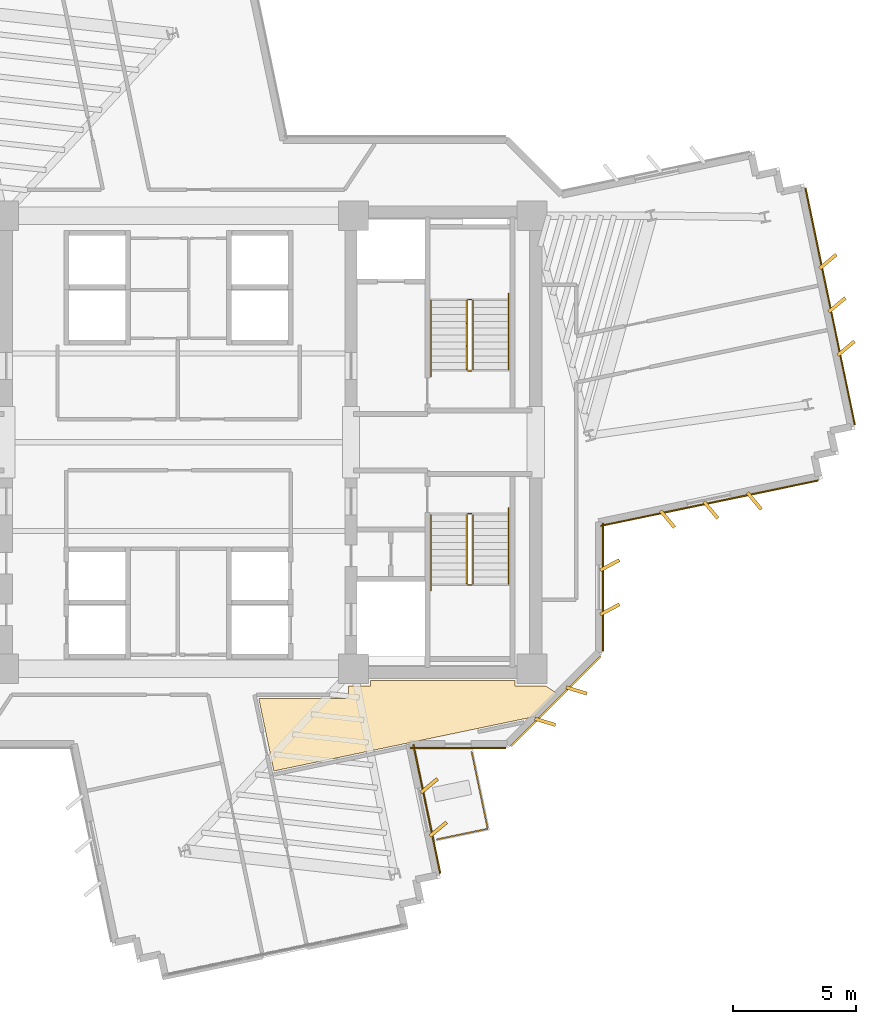
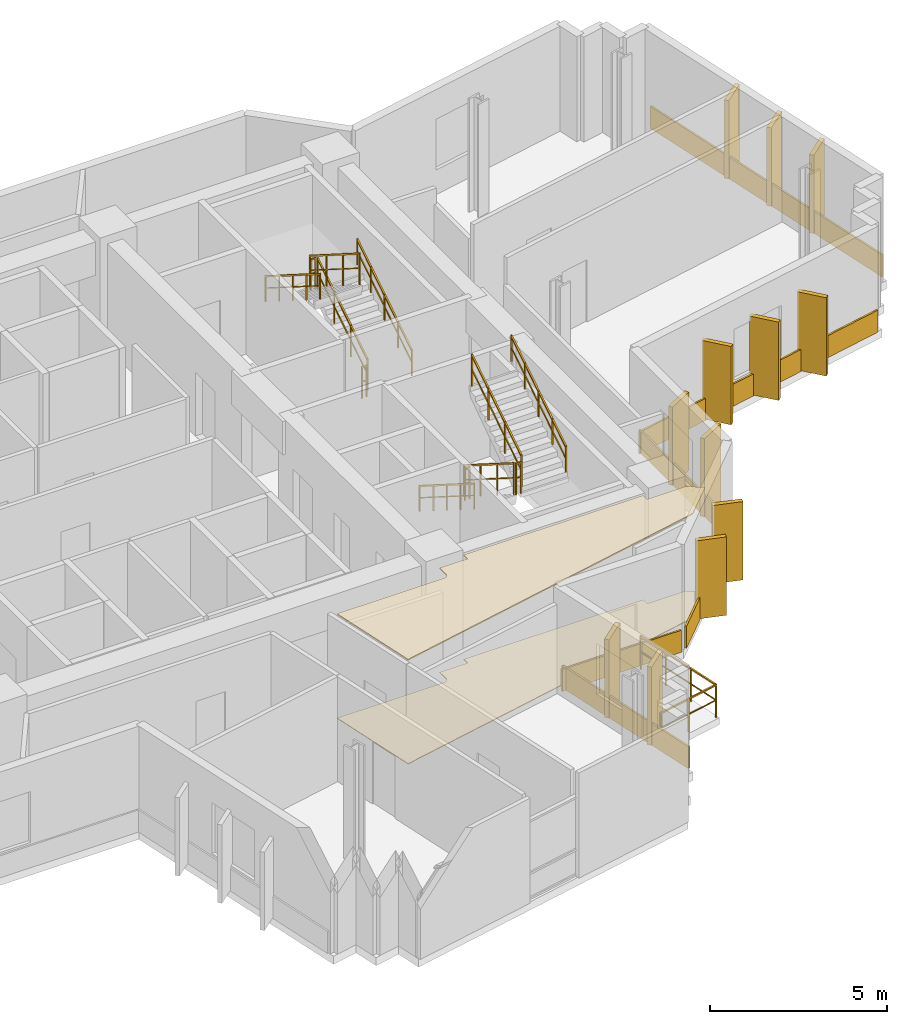
# One storey, part 13 of 14: 20 coverings, 14 railings.
"""IFC4 building model written with IfcOpenShell, lengths in metres."""

from ifc_helpers import new_model, si_unit, direction, frame, origin, origin_2d, place, context, subcontext, project, spatial, polyline, rectangle, outline, extrude, source, transform, mapped, material, layer, layer_set, type_object, element, save


model = new_model("IFC4")

# Units and contexts
model_context = context("Model", 3, precision=1e-05, world=origin(), true_north=direction((0.0, 1.0)))
body_context = subcontext(model_context, "Body", "Model", "MODEL_VIEW")
ifc_project = project(units=[si_unit("LENGTHUNIT", "METRE"), si_unit("AREAUNIT", "SQUARE_METRE"), si_unit("VOLUMEUNIT", "CUBIC_METRE"), si_unit("PLANEANGLEUNIT", "RADIAN"), si_unit("MASSUNIT", "GRAM", prefix="KILO")], contexts=[model_context])

# Site, building, storey
site_placement = place(None, origin())
site = spatial("IfcSite", under=ifc_project, at=site_placement, CompositionType="ELEMENT")
building_placement = place(site_placement, origin())
building = spatial("IfcBuilding", under=site, at=building_placement, Name="Zahravan Cultural Tower", CompositionType="ELEMENT")
storey_placement = place(building_placement, frame((0.0, 0.0, 159.0)))
storey = spatial("IfcBuildingStorey", under=building, at=storey_placement, Name="L36", CompositionType="ELEMENT", Elevation=159.0)

# Coverings
ifc_material_1 = material(Name="Acoustic mineral fibreboard")
ifc_layer_1 = layer(ifc_material_1, 0.0400390625)
ifc_layer_set_1 = layer_set([ifc_layer_1], Name="Acoustic mineral fibreboard")
covering_type_1 = type_object("IfcCoveringType", Name="COV-CEIL-AC20", PredefinedType="CEILING", material=ifc_layer_set_1)
covering_1_placement = place(storey_placement, frame((0.0, 0.0, 3.580078125)))
element("IfcCovering", 1, at=covering_1_placement, inside=storey, type_object=covering_type_1, Name="L36 Acoustic Suspended Ceiling", PredefinedType="CEILING", context=body_context, shape_type="SweptSolid", body=[
    extrude(outline(polyline([(50.423583984375, 15.849609375), (51.3681640625, 16.79443359375), (50.90869140625, 17.10009765625), (49.64990234375, 17.10009765625), (49.64990234375, 17.320068359375), (43.800048828125, 17.320068359375), (43.800048828125, 17.10009765625), (42.889892578125, 17.10009765625), (42.8896484375, 16.716064453125), (42.853515625, 16.639404296875), (42.78173828125, 16.601318359375), (39.251708984375, 16.60009765625), (39.8671875, 13.648193359375), (50.423583984375, 15.849609375)])), origin(), (0.0, 0.0, 1.0), 0.0400390625),
])
ifc_material_2 = material(Name="Terrazzo flooring")
ifc_layer_2 = layer(ifc_material_2, 0.02490234375)
ifc_layer_set_2 = layer_set([ifc_layer_2], Name="Terrazzo flooring")
covering_type_2 = type_object("IfcCoveringType", Name="COV-FLR-TZ25", PredefinedType="FLOORING", material=ifc_layer_set_2)
covering_2_placement = place(storey_placement, origin())
element("IfcCovering", 2, at=covering_2_placement, inside=storey, type_object=covering_type_2, Name="L36 Polished Terrazzo Flooring", PredefinedType="FLOORING", context=body_context, shape_type="SweptSolid", body=[
    extrude(outline(polyline([(50.423583984375, 15.849609375), (51.3681640625, 16.79443359375), (50.90869140625, 17.10009765625), (49.64990234375, 17.10009765625), (49.64990234375, 17.320068359375), (43.800048828125, 17.320068359375), (43.800048828125, 17.10009765625), (42.889892578125, 17.10009765625), (42.8896484375, 16.716064453125), (42.853515625, 16.639404296875), (42.78173828125, 16.601318359375), (39.251708984375, 16.60009765625), (39.8671875, 13.648193359375), (50.423583984375, 15.849609375)])), origin(), (0.0, 0.0, 1.0), 0.02490234375),
])

# Railings
ifc_material_3 = material(Name="Steel ASTM A572 Grade 50", Category="steel")
railing_type_1 = type_object("IfcRailingType", Name="RL-BAL-1150", PredefinedType="BALUSTRADE", material=ifc_material_3)
railing_1_placement = place(storey_placement, frame((48.54931640625, 11.30126953125, 0.0)))
element("IfcRailing", 3, at=railing_1_placement, inside=storey, type_object=railing_type_1, Name="L36 Edge Balustrade GRD-TR-L36-SE-01", PredefinedType="BALUSTRADE", context=body_context, shape_type="SweptSolid", body=[
    extrude(rectangle(XDim=0.05, YDim=0.05, at=origin_2d()), frame((0.0, 0.0, 1.125), z_axis=(-0.978965909824, -0.204023889294, 0.0), x_axis=(0.204023889294, -0.978965909824, 0.0)), (0.0, 0.0, 1.0), 2.10009765625),
    extrude(rectangle(XDim=0.032, YDim=0.032, at=origin_2d()), frame((0.0, 0.0, 0.597900390625), z_axis=(-0.978965909824, -0.204023889294, 0.0), x_axis=(0.204023889294, -0.978965909824, 0.0)), (0.0, 0.0, 1.0), 2.10009765625),
    extrude(rectangle(XDim=0.04, YDim=0.04, at=origin_2d()), origin(), (0.0, 0.0, 1.0), 1.14990234375),
    extrude(rectangle(XDim=0.04, YDim=0.04, at=origin_2d()), frame((-1.02783203125, -0.21435546875, 0.0)), (0.0, 0.0, 1.0), 1.14990234375),
    extrude(rectangle(XDim=0.04, YDim=0.04, at=origin_2d()), frame((-2.055908203125, -0.428466796875, 0.0)), (0.0, 0.0, 1.0), 1.14990234375),
])
railing_2_placement = place(storey_placement, frame((47.89892578125, 14.419921875, 0.0)))
element("IfcRailing", 4, at=railing_2_placement, inside=storey, type_object=railing_type_1, Name="L36 Edge Balustrade GRD-TR-L36-SE-02", PredefinedType="BALUSTRADE", context=body_context, shape_type="SweptSolid", body=[
    extrude(rectangle(XDim=0.05, YDim=0.05, at=origin_2d()), frame((0.0, 0.0, 1.125), z_axis=(0.204156230122, -0.978938319662, 0.0), x_axis=(0.978938319662, 0.204156230122, 0.0)), (0.0, 0.0, 1.0), 3.185791015625),
    extrude(rectangle(XDim=0.032, YDim=0.032, at=origin_2d()), frame((0.0, 0.0, 0.597900390625), z_axis=(0.204156230122, -0.978938319662, 0.0), x_axis=(0.978938319662, 0.204156230122, 0.0)), (0.0, 0.0, 1.0), 3.185791015625),
    extrude(rectangle(XDim=0.04, YDim=0.04, at=origin_2d()), origin(), (0.0, 0.0, 1.0), 1.14990234375),
    extrude(rectangle(XDim=0.04, YDim=0.04, at=origin_2d()), frame((0.216796875, -1.03955078125, 0.0)), (0.0, 0.0, 1.0), 1.14990234375),
    extrude(rectangle(XDim=0.04, YDim=0.04, at=origin_2d()), frame((0.43359375, -2.0791015625, 0.0)), (0.0, 0.0, 1.0), 1.14990234375),
    extrude(rectangle(XDim=0.04, YDim=0.04, at=origin_2d()), frame((0.650390625, -3.11865234375, 0.0)), (0.0, 0.0, 1.0), 1.14990234375),
])
railing_type_2 = type_object("IfcRailingType", Name="RL-STAIR-GRD1150", PredefinedType="BALUSTRADE", material=ifc_material_3)
railing_3_placement = place(storey_placement, frame((47.949951171875, 29.949951171875, 0.17724609375)))
element("IfcRailing", 5, at=railing_3_placement, inside=storey, type_object=railing_type_2, Name="L36 ST-E1 stair guard 1", PredefinedType="BALUSTRADE", context=body_context, shape_type="SweptSolid", body=[
    extrude(rectangle(XDim=0.05, YDim=0.05, at=origin_2d()), frame((0.0, 0.0, 1.0751953125), z_axis=(0.0, 0.844908973607, 0.534910110503), x_axis=(-1.0, 0.0, 0.0)), (0.0, 0.0, 1.0), 3.31396484375),
    extrude(rectangle(XDim=0.032, YDim=0.032, at=origin_2d()), frame((0.0, 0.0, 0.572021484375), z_axis=(0.0, 0.844908973607, 0.534910110503), x_axis=(-1.0, 0.0, 0.0)), (0.0, 0.0, 1.0), 3.31396484375),
    extrude(rectangle(XDim=0.04, YDim=0.04, at=origin_2d()), origin(), (0.0, 0.0, 1.0), 1.10009765625),
    extrude(rectangle(XDim=0.04, YDim=0.04, at=origin_2d()), frame((0.0, 0.933349609375, 0.5908203125)), (0.0, 0.0, 1.0), 1.10009765625),
    extrude(rectangle(XDim=0.04, YDim=0.04, at=origin_2d()), frame((0.0, 1.86669921875, 1.181884765625)), (0.0, 0.0, 1.0), 1.10009765625),
    extrude(rectangle(XDim=0.04, YDim=0.04, at=origin_2d()), frame((0.0, 2.800048828125, 1.772705078125)), (0.0, 0.0, 1.0), 1.10009765625),
])
railing_4_placement = place(storey_placement, frame((47.89990234375, 32.800048828125, 1.949951171875)))
element("IfcRailing", 6, at=railing_4_placement, inside=storey, type_object=railing_type_2, Name="L36 ST-E1 stair guard 2", PredefinedType="BALUSTRADE", context=body_context, shape_type="SweptSolid", body=[
    extrude(rectangle(XDim=0.05, YDim=0.05, at=origin_2d()), frame((0.0, 0.0, 1.0751953125), z_axis=(-1.0, 0.0, 0.0), x_axis=(0.0, -1.0, 0.0)), (0.0, 0.0, 1.0), 0.14990234375),
    extrude(rectangle(XDim=0.032, YDim=0.032, at=origin_2d()), frame((0.0, 0.0, 0.572021484375), z_axis=(-1.0, 0.0, 0.0), x_axis=(0.0, -1.0, 0.0)), (0.0, 0.0, 1.0), 0.14990234375),
    extrude(rectangle(XDim=0.04, YDim=0.04, at=origin_2d()), origin(), (0.0, 0.0, 1.0), 1.10009765625),
    extrude(rectangle(XDim=0.04, YDim=0.04, at=origin_2d()), frame((-0.14990234375, 0.0, 0.0)), (0.0, 0.0, 1.0), 1.10009765625),
])
railing_5_placement = place(storey_placement, frame((47.699951171875, 32.75, 2.127197265625)))
element("IfcRailing", 7, at=railing_5_placement, inside=storey, type_object=railing_type_2, Name="L36 ST-E1 stair guard 3", PredefinedType="BALUSTRADE", context=body_context, shape_type="SweptSolid", body=[
    extrude(rectangle(XDim=0.05, YDim=0.05, at=origin_2d()), frame((0.0, 0.0, 1.0751953125), z_axis=(0.0, -0.844908973607, 0.534910110503), x_axis=(1.0, 0.0, 0.0)), (0.0, 0.0, 1.0), 3.31396484375),
    extrude(rectangle(XDim=0.032, YDim=0.032, at=origin_2d()), frame((0.0, 0.0, 0.572021484375), z_axis=(0.0, -0.844908973607, 0.534910110503), x_axis=(1.0, 0.0, 0.0)), (0.0, 0.0, 1.0), 3.31396484375),
    extrude(rectangle(XDim=0.04, YDim=0.04, at=origin_2d()), origin(), (0.0, 0.0, 1.0), 1.10009765625),
    extrude(rectangle(XDim=0.04, YDim=0.04, at=origin_2d()), frame((0.0, -0.933349609375, 0.5908203125)), (0.0, 0.0, 1.0), 1.10009765625),
    extrude(rectangle(XDim=0.04, YDim=0.04, at=origin_2d()), frame((0.0, -1.86669921875, 1.181884765625)), (0.0, 0.0, 1.0), 1.10009765625),
    extrude(rectangle(XDim=0.04, YDim=0.04, at=origin_2d()), frame((0.0, -2.800048828125, 1.772705078125)), (0.0, 0.0, 1.0), 1.10009765625),
])
railing_6_placement = place(storey_placement, frame((47.89990234375, 29.89990234375, 0.0)))
element("IfcRailing", 8, at=railing_6_placement, inside=storey, type_object=railing_type_2, Name="L36 ST-E1 stair guard 4", PredefinedType="BALUSTRADE", context=body_context, shape_type="SweptSolid", body=[
    extrude(rectangle(XDim=0.05, YDim=0.05, at=origin_2d()), frame((0.0, 0.0, 1.0751953125), z_axis=(-1.0, 0.0, 0.0), x_axis=(0.0, -1.0, 0.0)), (0.0, 0.0, 1.0), 0.14990234375),
    extrude(rectangle(XDim=0.032, YDim=0.032, at=origin_2d()), frame((0.0, 0.0, 0.572021484375), z_axis=(-1.0, 0.0, 0.0), x_axis=(0.0, -1.0, 0.0)), (0.0, 0.0, 1.0), 0.14990234375),
    extrude(rectangle(XDim=0.04, YDim=0.04, at=origin_2d()), origin(), (0.0, 0.0, 1.0), 1.10009765625),
    extrude(rectangle(XDim=0.04, YDim=0.04, at=origin_2d()), frame((-0.14990234375, 0.0, 0.0)), (0.0, 0.0, 1.0), 1.10009765625),
])
railing_7_placement = place(storey_placement, frame((47.699951171875, 24.050048828125, 0.17724609375)))
element("IfcRailing", 9, at=railing_7_placement, inside=storey, type_object=railing_type_2, Name="L36 ST-E2 stair guard 1", PredefinedType="BALUSTRADE", context=body_context, shape_type="SweptSolid", body=[
    extrude(rectangle(XDim=0.05, YDim=0.05, at=origin_2d()), frame((0.0, 0.0, 1.0751953125), z_axis=(0.0, -0.844908973607, 0.534910110503), x_axis=(1.0, 0.0, 0.0)), (0.0, 0.0, 1.0), 3.31396484375),
    extrude(rectangle(XDim=0.032, YDim=0.032, at=origin_2d()), frame((0.0, 0.0, 0.572021484375), z_axis=(0.0, -0.844908973607, 0.534910110503), x_axis=(1.0, 0.0, 0.0)), (0.0, 0.0, 1.0), 3.31396484375),
    extrude(rectangle(XDim=0.04, YDim=0.04, at=origin_2d()), origin(), (0.0, 0.0, 1.0), 1.10009765625),
    extrude(rectangle(XDim=0.04, YDim=0.04, at=origin_2d()), frame((0.0, -0.933349609375, 0.5908203125)), (0.0, 0.0, 1.0), 1.10009765625),
    extrude(rectangle(XDim=0.04, YDim=0.04, at=origin_2d()), frame((0.0, -1.86669921875, 1.181884765625)), (0.0, 0.0, 1.0), 1.10009765625),
    extrude(rectangle(XDim=0.04, YDim=0.04, at=origin_2d()), frame((0.0, -2.800048828125, 1.772705078125)), (0.0, 0.0, 1.0), 1.10009765625),
])
railing_8_placement = place(storey_placement, frame((47.75, 21.199951171875, 1.949951171875)))
element("IfcRailing", 10, at=railing_8_placement, inside=storey, type_object=railing_type_2, Name="L36 ST-E2 stair guard 2", PredefinedType="BALUSTRADE", context=body_context, shape_type="SweptSolid", body=[
    extrude(rectangle(XDim=0.05, YDim=0.05, at=origin_2d()), frame((0.0, 0.0, 1.0751953125), z_axis=(1.0, 0.0, 0.0), x_axis=(0.0, 1.0, 0.0)), (0.0, 0.0, 1.0), 0.14990234375),
    extrude(rectangle(XDim=0.032, YDim=0.032, at=origin_2d()), frame((0.0, 0.0, 0.572021484375), z_axis=(1.0, 0.0, 0.0), x_axis=(0.0, 1.0, 0.0)), (0.0, 0.0, 1.0), 0.14990234375),
    extrude(rectangle(XDim=0.04, YDim=0.04, at=origin_2d()), origin(), (0.0, 0.0, 1.0), 1.10009765625),
    extrude(rectangle(XDim=0.04, YDim=0.04, at=origin_2d()), frame((0.14990234375, 0.0, 0.0)), (0.0, 0.0, 1.0), 1.10009765625),
])
railing_9_placement = place(storey_placement, frame((47.949951171875, 21.25, 2.127197265625)))
element("IfcRailing", 11, at=railing_9_placement, inside=storey, type_object=railing_type_2, Name="L36 ST-E2 stair guard 3", PredefinedType="BALUSTRADE", context=body_context, shape_type="SweptSolid", body=[
    extrude(rectangle(XDim=0.05, YDim=0.05, at=origin_2d()), frame((0.0, 0.0, 1.0751953125), z_axis=(0.0, 0.844908973607, 0.534910110503), x_axis=(-1.0, 0.0, 0.0)), (0.0, 0.0, 1.0), 3.31396484375),
    extrude(rectangle(XDim=0.032, YDim=0.032, at=origin_2d()), frame((0.0, 0.0, 0.572021484375), z_axis=(0.0, 0.844908973607, 0.534910110503), x_axis=(-1.0, 0.0, 0.0)), (0.0, 0.0, 1.0), 3.31396484375),
    extrude(rectangle(XDim=0.04, YDim=0.04, at=origin_2d()), origin(), (0.0, 0.0, 1.0), 1.10009765625),
    extrude(rectangle(XDim=0.04, YDim=0.04, at=origin_2d()), frame((0.0, 0.933349609375, 0.5908203125)), (0.0, 0.0, 1.0), 1.10009765625),
    extrude(rectangle(XDim=0.04, YDim=0.04, at=origin_2d()), frame((0.0, 1.86669921875, 1.181884765625)), (0.0, 0.0, 1.0), 1.10009765625),
    extrude(rectangle(XDim=0.04, YDim=0.04, at=origin_2d()), frame((0.0, 2.800048828125, 1.772705078125)), (0.0, 0.0, 1.0), 1.10009765625),
])
railing_10_placement = place(storey_placement, frame((47.75, 24.10009765625, 0.0)))
element("IfcRailing", 12, at=railing_10_placement, inside=storey, type_object=railing_type_2, Name="L36 ST-E2 stair guard 4", PredefinedType="BALUSTRADE", context=body_context, shape_type="SweptSolid", body=[
    extrude(rectangle(XDim=0.05, YDim=0.05, at=origin_2d()), frame((0.0, 0.0, 1.0751953125), z_axis=(1.0, 0.0, 0.0), x_axis=(0.0, 1.0, 0.0)), (0.0, 0.0, 1.0), 0.14990234375),
    extrude(rectangle(XDim=0.032, YDim=0.032, at=origin_2d()), frame((0.0, 0.0, 0.572021484375), z_axis=(1.0, 0.0, 0.0), x_axis=(0.0, 1.0, 0.0)), (0.0, 0.0, 1.0), 0.14990234375),
    extrude(rectangle(XDim=0.04, YDim=0.04, at=origin_2d()), origin(), (0.0, 0.0, 1.0), 1.10009765625),
    extrude(rectangle(XDim=0.04, YDim=0.04, at=origin_2d()), frame((0.14990234375, 0.0, 0.0)), (0.0, 0.0, 1.0), 1.10009765625),
])
railing_type_3 = type_object("IfcRailingType", Name="RL-STAIR-HR900", PredefinedType="HANDRAIL", material=ifc_material_3)
railing_11_placement = place(storey_placement, frame((49.39990234375, 29.949951171875, 0.17724609375)))
element("IfcRailing", 13, at=railing_11_placement, inside=storey, type_object=railing_type_3, Name="L36 ST-E1 stair handrail 1", PredefinedType="HANDRAIL", context=body_context, shape_type="SweptSolid", body=[
    extrude(rectangle(XDim=0.05, YDim=0.05, at=origin_2d()), frame((0.0, 0.0, 0.875), z_axis=(0.0, 0.844913916606, 0.534902302785), x_axis=(-1.0, 0.0, 0.0)), (0.0, 0.0, 1.0), 3.6455078125),
    extrude(rectangle(XDim=0.032, YDim=0.032, at=origin_2d()), frame((0.0, 0.0, 0.468017578125), z_axis=(0.0, 0.844913916606, 0.534902302785), x_axis=(-1.0, 0.0, 0.0)), (0.0, 0.0, 1.0), 3.6455078125),
    extrude(rectangle(XDim=0.04, YDim=0.04, at=origin_2d()), origin(), (0.0, 0.0, 1.0), 0.89990234375),
    extrude(rectangle(XDim=0.04, YDim=0.04, at=origin_2d()), frame((0.0, 0.77001953125, 0.487548828125)), (0.0, 0.0, 1.0), 0.89990234375),
    extrude(rectangle(XDim=0.04, YDim=0.04, at=origin_2d()), frame((0.0, 1.5400390625, 0.97509765625)), (0.0, 0.0, 1.0), 0.89990234375),
    extrude(rectangle(XDim=0.04, YDim=0.04, at=origin_2d()), frame((0.0, 2.31005859375, 1.46240234375)), (0.0, 0.0, 1.0), 0.89990234375),
    extrude(rectangle(XDim=0.04, YDim=0.04, at=origin_2d()), frame((0.0, 3.080078125, 1.949951171875)), (0.0, 0.0, 1.0), 0.89990234375),
])
railing_12_placement = place(storey_placement, frame((46.25, 32.75, 2.127197265625)))
element("IfcRailing", 14, at=railing_12_placement, inside=storey, type_object=railing_type_3, Name="L36 ST-E1 stair handrail 2", PredefinedType="HANDRAIL", context=body_context, shape_type="SweptSolid", body=[
    extrude(rectangle(XDim=0.05, YDim=0.05, at=origin_2d()), frame((0.0, 0.0, 0.875), z_axis=(0.0, -0.844883648757, 0.534950109882), x_axis=(1.0, 0.0, 0.0)), (0.0, 0.0, 1.0), 3.6455078125),
    extrude(rectangle(XDim=0.032, YDim=0.032, at=origin_2d()), frame((0.0, 0.0, 0.468017578125), z_axis=(0.0, -0.844883648757, 0.534950109882), x_axis=(1.0, 0.0, 0.0)), (0.0, 0.0, 1.0), 3.6455078125),
    extrude(rectangle(XDim=0.04, YDim=0.04, at=origin_2d()), origin(), (0.0, 0.0, 1.0), 0.89990234375),
    extrude(rectangle(XDim=0.04, YDim=0.04, at=origin_2d()), frame((0.0, -0.77001953125, 0.487548828125)), (0.0, 0.0, 1.0), 0.89990234375),
    extrude(rectangle(XDim=0.04, YDim=0.04, at=origin_2d()), frame((0.0, -1.5400390625, 0.97509765625)), (0.0, 0.0, 1.0), 0.89990234375),
    extrude(rectangle(XDim=0.04, YDim=0.04, at=origin_2d()), frame((0.0, -2.31005859375, 1.462646484375)), (0.0, 0.0, 1.0), 0.89990234375),
    extrude(rectangle(XDim=0.04, YDim=0.04, at=origin_2d()), frame((0.0, -3.080078125, 1.9501953125)), (0.0, 0.0, 1.0), 0.89990234375),
])
railing_13_placement = place(storey_placement, frame((46.25, 24.050048828125, 0.17724609375)))
element("IfcRailing", 15, at=railing_13_placement, inside=storey, type_object=railing_type_3, Name="L36 ST-E2 stair handrail 1", PredefinedType="HANDRAIL", context=body_context, shape_type="SweptSolid", body=[
    extrude(rectangle(XDim=0.05, YDim=0.05, at=origin_2d()), frame((0.0, 0.0, 0.875), z_axis=(0.0, -0.844913916606, 0.534902302785), x_axis=(1.0, 0.0, 0.0)), (0.0, 0.0, 1.0), 3.6455078125),
    extrude(rectangle(XDim=0.032, YDim=0.032, at=origin_2d()), frame((0.0, 0.0, 0.468017578125), z_axis=(0.0, -0.844913916606, 0.534902302785), x_axis=(1.0, 0.0, 0.0)), (0.0, 0.0, 1.0), 3.6455078125),
    extrude(rectangle(XDim=0.04, YDim=0.04, at=origin_2d()), origin(), (0.0, 0.0, 1.0), 0.89990234375),
    extrude(rectangle(XDim=0.04, YDim=0.04, at=origin_2d()), frame((0.0, -0.77001953125, 0.487548828125)), (0.0, 0.0, 1.0), 0.89990234375),
    extrude(rectangle(XDim=0.04, YDim=0.04, at=origin_2d()), frame((0.0, -1.5400390625, 0.97509765625)), (0.0, 0.0, 1.0), 0.89990234375),
    extrude(rectangle(XDim=0.04, YDim=0.04, at=origin_2d()), frame((0.0, -2.31005859375, 1.46240234375)), (0.0, 0.0, 1.0), 0.89990234375),
    extrude(rectangle(XDim=0.04, YDim=0.04, at=origin_2d()), frame((0.0, -3.080078125, 1.949951171875)), (0.0, 0.0, 1.0), 0.89990234375),
])
railing_14_placement = place(storey_placement, frame((49.39990234375, 21.25, 2.127197265625)))
element("IfcRailing", 16, at=railing_14_placement, inside=storey, type_object=railing_type_3, Name="L36 ST-E2 stair handrail 2", PredefinedType="HANDRAIL", context=body_context, shape_type="SweptSolid", body=[
    extrude(rectangle(XDim=0.05, YDim=0.05, at=origin_2d()), frame((0.0, 0.0, 0.875), z_axis=(0.0, 0.844883648757, 0.534950109882), x_axis=(-1.0, 0.0, 0.0)), (0.0, 0.0, 1.0), 3.6455078125),
    extrude(rectangle(XDim=0.032, YDim=0.032, at=origin_2d()), frame((0.0, 0.0, 0.468017578125), z_axis=(0.0, 0.844883648757, 0.534950109882), x_axis=(-1.0, 0.0, 0.0)), (0.0, 0.0, 1.0), 3.6455078125),
    extrude(rectangle(XDim=0.04, YDim=0.04, at=origin_2d()), origin(), (0.0, 0.0, 1.0), 0.89990234375),
    extrude(rectangle(XDim=0.04, YDim=0.04, at=origin_2d()), frame((0.0, 0.77001953125, 0.487548828125)), (0.0, 0.0, 1.0), 0.89990234375),
    extrude(rectangle(XDim=0.04, YDim=0.04, at=origin_2d()), frame((0.0, 1.5400390625, 0.97509765625)), (0.0, 0.0, 1.0), 0.89990234375),
    extrude(rectangle(XDim=0.04, YDim=0.04, at=origin_2d()), frame((0.0, 2.31005859375, 1.462646484375)), (0.0, 0.0, 1.0), 0.89990234375),
    extrude(rectangle(XDim=0.04, YDim=0.04, at=origin_2d()), frame((0.0, 3.080078125, 1.9501953125)), (0.0, 0.0, 1.0), 0.89990234375),
])

# Coverings
ifc_material_4 = material(Name="Terracotta ceramic cladding", Category="masonry")
ifc_layer_3 = layer(ifc_material_4, 0.06005859375)
ifc_layer_set_3 = layer_set([ifc_layer_3], Name="Terracotta ceramic cladding")
covering_type_3 = type_object("IfcCoveringType", Name="COV-CLAD-TC60", PredefinedType="CLADDING", material=ifc_layer_set_3)
shared_shape_1 = source(origin(), body_context, "Body", "SweptSolid", [
    extrude(rectangle(XDim=9.820068359375, YDim=0.06005859375, at=origin_2d()), origin(), (0.0, 0.0, 1.0), 0.760009765625),
])
covering_3_placement = place(storey_placement, frame((62.455810546875, 32.517333984375, 0.02001953125), z_axis=(0.0, 0.0, 1.0), x_axis=(0.204154350213, -0.978938711712, 0.0)))
element("IfcCovering", 17, at=covering_3_placement, inside=storey, type_object=covering_type_3, Name="L36 Terracotta Spandrel Cladding 06", PredefinedType="CLADDING", context=body_context, shape_type="MappedRepresentation", body=[
    mapped(shared_shape_1, transform((0.0, 0.0, 0.0), x_axis=(1.0, 0.0, 0.0), y_axis=(0.0, 1.0, 0.0), z_axis=(0.0, 0.0, 1.0), scale=1.0)),
])
shared_shape_2 = source(origin(), body_context, "Body", "SweptSolid", [
    extrude(rectangle(XDim=5.157958984375, YDim=0.06005859375, at=origin_2d()), origin(), (0.0, 0.0, 1.0), 0.760009765625),
])
covering_4_placement = place(storey_placement, frame((51.317626953125, 16.482421875, 0.02001953125), z_axis=(0.0, 0.0, 1.0), x_axis=(-0.707106781187, -0.707106781187, 0.0)))
element("IfcCovering", 18, at=covering_4_placement, inside=storey, type_object=covering_type_3, Name="L36 Terracotta Spandrel Cladding 13", PredefinedType="CLADDING", context=body_context, shape_type="MappedRepresentation", body=[
    mapped(shared_shape_2, transform((0.0, 0.0, 0.0), x_axis=(1.0, 0.0, 0.0), y_axis=(0.0, 1.0, 0.0), z_axis=(0.0, 0.0, 1.0), scale=1.0)),
])
shared_shape_3 = source(origin(), body_context, "Body", "SweptSolid", [
    extrude(rectangle(XDim=0.8798828125, YDim=0.139892578125, at=origin_2d()), origin(), (0.0, 0.0, 1.0), 2.699951171875),
])
for number, where, z_axis, x_axis, name in (
    (19, (62.3671875, 34.337646484375, 0.0498046875), (0.0, 0.0, 1.0), (0.768506917219, 0.639841478951, 0.0), "L36 Herringbone Terracotta Fin 04"),
    (20, (62.73486328125, 32.575439453125, 0.0498046875), (0.0, 0.0, 1.0), (0.768506917219, 0.639841478951, 0.0), "L36 Herringbone Terracotta Fin 05"),
    (21, (63.102294921875, 30.8134765625, 0.0498046875), (0.0, 0.0, 1.0), (0.768506917219, 0.639841478951, 0.0), "L36 Herringbone Terracotta Fin 06"),
    (22, (59.37890625, 24.612548828125, 0.0498046875), (0.0, 0.0, 1.0), (0.639841478951, -0.768506917219, 0.0), "L36 Herringbone Terracotta Fin 07"),
    (23, (57.61669921875, 24.2451171875, 0.0498046875), (0.0, 0.0, 1.0), (0.639841478951, -0.768506917219, 0.0), "L36 Herringbone Terracotta Fin 08"),
    (24, (55.854736328125, 23.877685546875, 0.0498046875), (0.0, 0.0, 1.0), (0.639841478951, -0.768506917219, 0.0), "L36 Herringbone Terracotta Fin 09"),
    (25, (53.510009765625, 22.006103515625, 0.0498046875), (0.0, 0.0, 1.0), (0.882947592859, 0.469471562786, 0.0), "L36 Herringbone Terracotta Fin 10"),
    (26, (53.510009765625, 20.206298828125, 0.0498046875), (0.0, 0.0, 1.0), (0.882947592859, 0.469471562786, 0.0), "L36 Herringbone Terracotta Fin 11"),
    (27, (52.155517578125, 16.917236328125, 0.0498046875), (0.0, 0.0, 1.0), (0.956304755963, -0.292371704723, 0.0), "L36 Herringbone Terracotta Fin 12"),
    (28, (50.8828125, 15.644287109375, 0.0498046875), (0.0, 0.0, 1.0), (0.956304755963, -0.292371704723, 0.0), "L36 Herringbone Terracotta Fin 13"),
    (29, (46.1728515625, 13.046630859375, 0.0498046875), (0.0, 0.0, 1.0), (0.768506917219, 0.639841478951, 0.0), "L36 Herringbone Terracotta Fin 14"),
    (30, (46.540283203125, 11.284423828125, 0.0498046875), (0.0, 0.0, 1.0), (0.768506917219, 0.639841478951, 0.0), "L36 Herringbone Terracotta Fin 15"),
):
    element("IfcCovering", number, at=place(storey_placement, frame(where, z_axis=z_axis, x_axis=x_axis)), inside=storey, type_object=covering_type_3, Name=name, PredefinedType="CLADDING", context=body_context, shape_type="MappedRepresentation", body=[
        mapped(shared_shape_3, transform((0.0, 0.0, 0.0), x_axis=(1.0, 0.0, 0.0), y_axis=(0.0, 1.0, 0.0), z_axis=(0.0, 0.0, 1.0), scale=1.0)),
    ])
shared_shape_4 = source(origin(), body_context, "Body", "SweptSolid", [
    extrude(rectangle(XDim=9.02197265625, YDim=0.06005859375, at=origin_2d()), origin(), (0.0, 0.0, 1.0), 0.760009765625),
])
covering_5_placement = place(storey_placement, frame((57.55859375, 24.524169921875, 0.02001953125), z_axis=(0.0, 0.0, 1.0), x_axis=(-0.978938711712, -0.204154350213, 0.0)))
element("IfcCovering", 31, at=covering_5_placement, inside=storey, type_object=covering_type_3, Name="L36 Terracotta Spandrel Cladding 11", PredefinedType="CLADDING", context=body_context, shape_type="MappedRepresentation", body=[
    mapped(shared_shape_4, transform((0.0, 0.0, 0.0), x_axis=(1.0, 0.0, 0.0), y_axis=(0.0, 1.0, 0.0), z_axis=(0.0, 0.0, 1.0), scale=1.0)),
])
shared_shape_5 = source(origin(), body_context, "Body", "SweptSolid", [
    extrude(rectangle(XDim=5.196533203125, YDim=0.06005859375, at=origin_2d()), origin(), (0.0, 0.0, 1.0), 0.760009765625),
])
covering_6_placement = place(storey_placement, frame((53.22509765625, 21.106201171875, 0.02001953125), z_axis=(0.0, 0.0, 1.0), x_axis=(0.0, -1.0, 0.0)))
element("IfcCovering", 32, at=covering_6_placement, inside=storey, type_object=covering_type_3, Name="L36 Terracotta Spandrel Cladding 12", PredefinedType="CLADDING", context=body_context, shape_type="MappedRepresentation", body=[
    mapped(shared_shape_5, transform((0.0, 0.0, 0.0), x_axis=(1.0, 0.0, 0.0), y_axis=(0.0, 1.0, 0.0), z_axis=(0.0, 0.0, 1.0), scale=1.0)),
])
shared_shape_6 = source(origin(), body_context, "Body", "SweptSolid", [
    extrude(rectangle(XDim=3.8818359375, YDim=0.06005859375, at=origin_2d()), origin(), (0.0, 0.0, 1.0), 0.760009765625),
])
covering_7_placement = place(storey_placement, frame((47.35107421875, 14.574951171875, 0.02001953125), z_axis=(0.0, 0.0, 1.0), x_axis=(-1.0, 0.0, 0.0)))
element("IfcCovering", 33, at=covering_7_placement, inside=storey, type_object=covering_type_3, Name="L36 Terracotta Spandrel Cladding 14", PredefinedType="CLADDING", context=body_context, shape_type="MappedRepresentation", body=[
    mapped(shared_shape_6, transform((0.0, 0.0, 0.0), x_axis=(1.0, 0.0, 0.0), y_axis=(0.0, 1.0, 0.0), z_axis=(0.0, 0.0, 1.0), scale=1.0)),
])
shared_shape_7 = source(origin(), body_context, "Body", "SweptSolid", [
    extrude(rectangle(XDim=5.347412109375, YDim=0.06005859375, at=origin_2d()), origin(), (0.0, 0.0, 1.0), 0.760009765625),
])
covering_8_placement = place(storey_placement, frame((46.07763671875, 12.107421875, 0.02001953125), z_axis=(0.0, 0.0, 1.0), x_axis=(0.204154350213, -0.978938711712, 0.0)))
element("IfcCovering", 34, at=covering_8_placement, inside=storey, type_object=covering_type_3, Name="L36 Terracotta Spandrel Cladding 15", PredefinedType="CLADDING", context=body_context, shape_type="MappedRepresentation", body=[
    mapped(shared_shape_7, transform((0.0, 0.0, 0.0), x_axis=(1.0, 0.0, 0.0), y_axis=(0.0, 1.0, 0.0), z_axis=(0.0, 0.0, 1.0), scale=1.0)),
])

save(model, "model.ifc")
